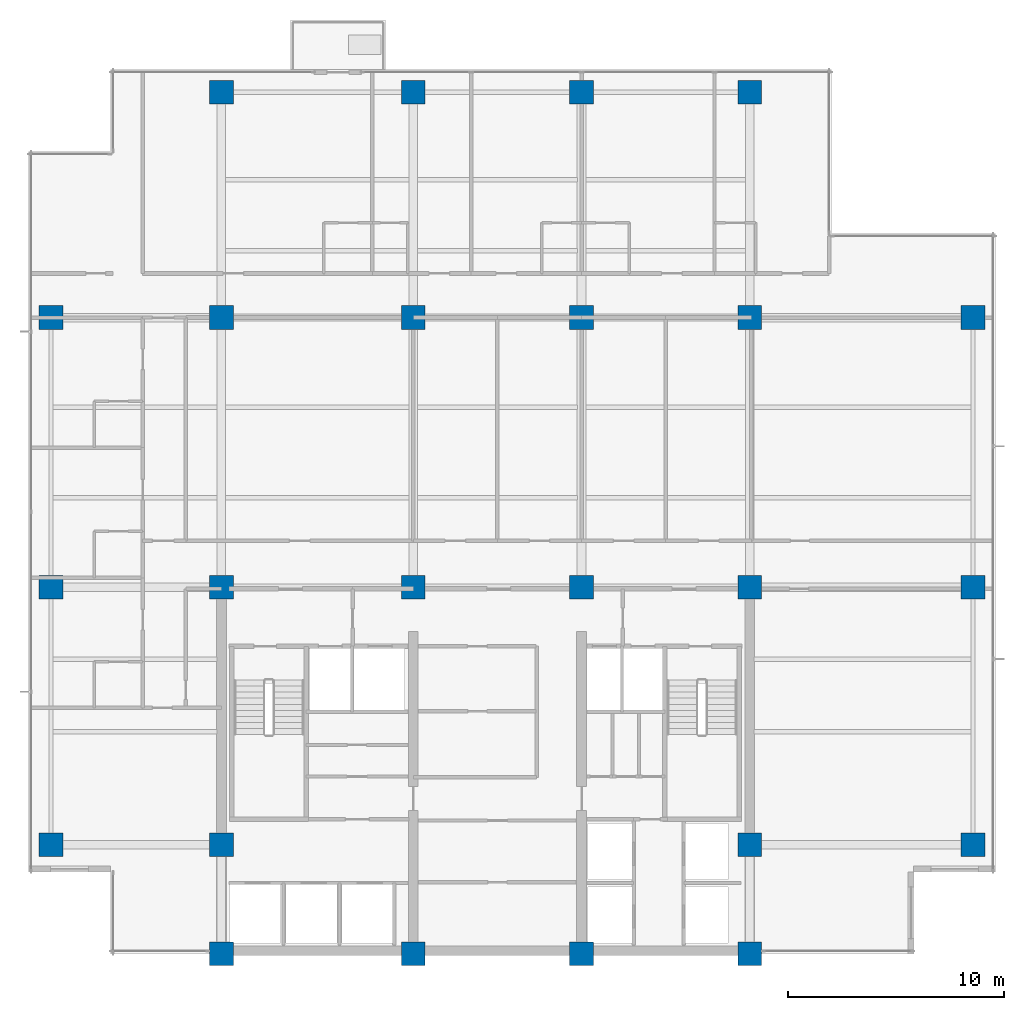
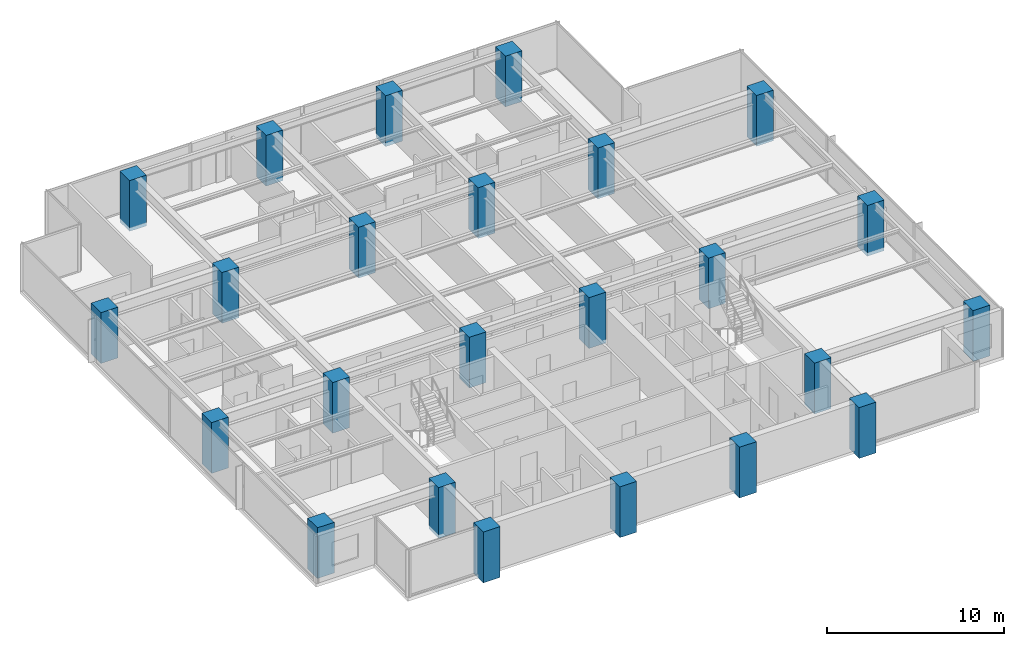
# One storey, part 1 of 14: 24 columns.
"""IFC4 building model written with IfcOpenShell, lengths in metres."""

import ifcopenshell
import ifcopenshell.guid

model = None  # the IFC model being written
_history = None  # IfcOwnerHistory: only IFC2X3 demands one
_inside = {}  # id of a spatial element -> (the spatial element, [elements in it])
_under = {}  # id of a project, library or spatial element -> (it, [spatial elements below it])
_declared = {}  # id of a project -> (the project, [libraries it declares])
_typed = {}  # id of a type object -> (the type object, [elements of that type])
_made_of = {}  # id of a material, layer set ... -> (it, [elements and type objects made of it])


def new_model(schema):
    """Start an empty IFC model of exactly this schema.

    Asked for "IFC4X3", IfcOpenShell would pick the latest addendum, in which some entities
    have other attributes; the version numbers below select the first issue.
    IFC2X3 requires an IfcOwnerHistory on every rooted entity: one is made here for all.
    """
    global model, _history
    if schema == "IFC4X3":
        model = ifcopenshell.file(schema_version=(4, 3, 0, 0))
    else:
        model = ifcopenshell.file(schema=schema)
    _inside.clear()
    _under.clear()
    _declared.clear()
    _typed.clear()
    _made_of.clear()
    _history = None
    if model.schema == "IFC2X3":
        org = make("IfcOrganization", Name="unknown")
        user = make(
            "IfcPersonAndOrganization",
            ThePerson=make("IfcPerson", FamilyName="unknown"),
            TheOrganization=org,
        )
        app = make(
            "IfcApplication",
            ApplicationDeveloper=org,
            Version="unknown",
            ApplicationFullName="unknown",
            ApplicationIdentifier="unknown",
        )
        _history = make(
            "IfcOwnerHistory",
            OwningUser=user,
            OwningApplication=app,
            ChangeAction="ADDED",
            CreationDate=0,
        )
    return model


def make(cls, **values):
    """One entity of the class cls with the attributes given. An attribute that is None is left unset."""
    return model.create_entity(
        cls, **{name: value for name, value in values.items() if value is not None}
    )


def rooted(cls, **values):
    """An entity with a GlobalId (a new one), such as an element, a storey or a relation."""
    return make(cls, GlobalId=ifcopenshell.guid.new(), OwnerHistory=_history, **values)


def si_unit(unit_type, name, prefix=None):
    """IfcSIUnit, for example si_unit("LENGTHUNIT", "METRE", prefix="MILLI")."""
    return make("IfcSIUnit", UnitType=unit_type, Prefix=prefix, Name=name)


def assignment(units):
    """IfcUnitAssignment: the units of a project."""
    return None if units is None else make("IfcUnitAssignment", Units=units)


def point(xyz):
    """IfcCartesianPoint."""
    return None if xyz is None else make("IfcCartesianPoint", Coordinates=xyz)


def direction(xyz):
    """IfcDirection."""
    return None if xyz is None else make("IfcDirection", DirectionRatios=xyz)


def frame(location, z_axis=None, x_axis=None):
    """IfcAxis2Placement3D, a coordinate frame: its origin and axes. An axis left out is left unset."""
    return make(
        "IfcAxis2Placement3D",
        Location=point(location),
        Axis=direction(z_axis),
        RefDirection=direction(x_axis),
    )


def frame_2d(location, x_axis=None):
    """IfcAxis2Placement2D, a coordinate frame in the plane: its origin and x axis."""
    return make(
        "IfcAxis2Placement2D", Location=point(location), RefDirection=direction(x_axis)
    )


def origin():
    """The frame at (0, 0, 0) with its axes left unset."""
    return frame((0.0, 0.0, 0.0))


def origin_2d():
    """The frame at (0, 0) in the plane with its x axis left unset."""
    return frame_2d((0.0, 0.0))


def place(relative_to, where):
    """IfcLocalPlacement: puts the frame where relative to a parent placement (None: the world)."""
    return make(
        "IfcLocalPlacement", PlacementRelTo=relative_to, RelativePlacement=where
    )


def context(
    kind, dimensions, precision=None, world=None, true_north=None, identifier=None
):
    """IfcGeometricRepresentationContext, for example the 3D "Model" context."""
    return make(
        "IfcGeometricRepresentationContext",
        ContextIdentifier=identifier,
        ContextType=kind,
        CoordinateSpaceDimension=dimensions,
        Precision=precision,
        WorldCoordinateSystem=world,
        TrueNorth=true_north,
    )


def subcontext(parent, identifier, kind, view, scale=None):
    """IfcGeometricRepresentationSubContext, for example "Body" below "Model"."""
    return make(
        "IfcGeometricRepresentationSubContext",
        ContextIdentifier=identifier,
        ContextType=kind,
        ParentContext=parent,
        TargetScale=scale,
        TargetView=view,
    )


def project(units=None, contexts=None):
    """IfcProject with its units and contexts."""
    return rooted(
        "IfcProject",
        Name="project",
        RepresentationContexts=contexts,
        UnitsInContext=assignment(units),
    )


def spatial(cls, under=None, at=None, **own):
    """A site, building, storey or space (cls), placed at a placement, below another one or the project."""
    s = rooted(cls, ObjectPlacement=at, **own)
    if under is not None:
        _under.setdefault(under.id(), (under, []))[1].append(s)
    return s


def profile(cls, at=None, kind="AREA", **sizes):
    """A parametric profile (cls). Its sizes go by their IFC names, for example OverallWidth=200.0."""
    return make(cls, ProfileType=kind, Position=at, **sizes)


def rectangle(**sizes):
    """IfcRectangleProfileDef."""
    return profile("IfcRectangleProfileDef", **sizes)


def extrude(swept, where, along, depth):
    """IfcExtrudedAreaSolid: the profile swept, set in the frame where, extruded along a direction by depth."""
    return make(
        "IfcExtrudedAreaSolid",
        SweptArea=swept,
        Position=where,
        ExtrudedDirection=direction(along),
        Depth=depth,
    )


def shape(context_of_items, identifier, shape_type, items):
    """IfcShapeRepresentation: the items that make up one representation, for example the "Body"."""
    return make(
        "IfcShapeRepresentation",
        ContextOfItems=context_of_items,
        RepresentationIdentifier=identifier,
        RepresentationType=shape_type,
        Items=items,
    )


def material(Name=None, Category=None):
    """IfcMaterial."""
    return make("IfcMaterial", Name=Name, Category=Category)


def material_profile(
    of_material, cross_section, Name=None, Category=None, Priority=None
):
    """IfcMaterialProfile: a cross section and its material."""
    return make(
        "IfcMaterialProfile",
        Name=Name,
        Material=of_material,
        Profile=cross_section,
        Priority=Priority,
        Category=Category,
    )


def profile_set(profiles, Name=None, composite=None):
    """IfcMaterialProfileSet."""
    return make(
        "IfcMaterialProfileSet",
        Name=Name,
        MaterialProfiles=profiles,
        CompositeProfile=composite,
    )


def made_of(thing, what):
    """Note that an element or type object is made of a material, layer set ...; save() writes the relation."""
    if what is not None:
        _made_of.setdefault(what.id(), (what, []))[1].append(thing)
    return thing


def type_object(cls, material=None, **own):
    """A type object (cls), such as IfcWallType, which elements share."""
    return made_of(rooted(cls, **own), material)


def element(
    cls,
    number,
    at=None,
    inside=None,
    cuts=None,
    type_object=None,
    material=None,
    context=None,
    identifier="Body",
    shape_type=None,
    held_by="IfcProductDefinitionShape",
    body=None,
    shapes=None,
    **own,
):
    """One element of the class cls, such as IfcWall. Its Tag is "e" and its number.

    at: its placement. inside: the storey or other place that contains it. cuts: it is an
    opening in that element (IfcRelVoidsElement). A single representation is given by context,
    identifier, shape_type and body (its items); several are given by shapes. held_by: the class
    of the entity that holds the representations. save() writes the other relations.
    """
    e = rooted(cls, Tag="e%d" % number, ObjectPlacement=at, **own)
    if body is not None:
        shapes = [shape(context, identifier, shape_type, body)]
    if shapes is not None:
        e.Representation = make(held_by, Representations=shapes)
    if inside is not None:
        _inside.setdefault(inside.id(), (inside, []))[1].append(e)
    if cuts is not None:
        rooted(
            "IfcRelVoidsElement", RelatingBuildingElement=cuts, RelatedOpeningElement=e
        )
    if type_object is not None:
        _typed.setdefault(type_object.id(), (type_object, []))[1].append(e)
    return made_of(e, material)


def aggregate(whole, parts):
    """IfcRelAggregates: a whole, such as a stair, and the parts it consists of."""
    return rooted("IfcRelAggregates", RelatingObject=whole, RelatedObjects=parts)


def save(model, path):
    """Write the relations noted so far, then the file.

    IfcRelAggregates (storeys below a building ...), IfcRelContainedInSpatialStructure (elements
    in a storey), IfcRelDefinesByType, IfcRelAssociatesMaterial and IfcRelDeclares: one each for
    every whole, place, type object, material and project.
    """
    for whole, parts in _under.values():
        aggregate(whole, parts)
    for where, things in _inside.values():
        rooted(
            "IfcRelContainedInSpatialStructure",
            RelatedElements=things,
            RelatingStructure=where,
        )
    for kind, things in _typed.values():
        rooted("IfcRelDefinesByType", RelatedObjects=things, RelatingType=kind)
    for what, things in _made_of.values():
        rooted("IfcRelAssociatesMaterial", RelatedObjects=things, RelatingMaterial=what)
    for by, libraries in _declared.values():
        rooted("IfcRelDeclares", RelatingContext=by, RelatedDefinitions=libraries)
    model.write(path)


model = new_model("IFC4")

# Units and contexts
model_context = context("Model", 3, precision=1e-05, world=origin(), true_north=direction((0.0, 1.0)))
body_context = subcontext(model_context, "Body", "Model", "MODEL_VIEW")
ifc_project = project(units=[si_unit("LENGTHUNIT", "METRE"), si_unit("AREAUNIT", "SQUARE_METRE"), si_unit("VOLUMEUNIT", "CUBIC_METRE"), si_unit("PLANEANGLEUNIT", "RADIAN"), si_unit("MASSUNIT", "GRAM", prefix="KILO")], contexts=[model_context])

# Site, building, storey
site_placement = place(None, origin())
site = spatial("IfcSite", under=ifc_project, at=site_placement, CompositionType="ELEMENT")
building_placement = place(site_placement, origin())
building = spatial("IfcBuilding", under=site, at=building_placement, Name="Qalmaran Belvedere Hotel", CompositionType="ELEMENT")
storey_placement = place(building_placement, frame((0.0, 0.0, 152.60009765625)))
storey = spatial("IfcBuildingStorey", under=building, at=storey_placement, Name="L38", CompositionType="ELEMENT", Elevation=152.60009765625)

# Columns
ifc_material = material(Name="Concrete C50/60", Category="concrete")
ifc_material_profile = material_profile(ifc_material, rectangle(XDim=1.10009765625, YDim=1.10009765625, at=origin_2d()), Name="CC1100X1100")
ifc_profile_set = profile_set([ifc_material_profile], Name="Concrete C50/60")
column_type = type_object("IfcColumnType", Name="COL-Z3-CC1100", PredefinedType="COLUMN", material=ifc_profile_set)
for number, where, z_axis, x_axis, name in (
    (1, (20.300048828125, 3.5, -0.25), (0.0, 0.0, 1.0), (1.0, 0.0, 0.0), "L38 Column C4B"),
    (2, (29.199951171875, 3.5, -0.25), (0.0, 0.0, 1.0), (1.0, 0.0, 0.0), "L38 Column C5B"),
    (3, (37.0, 3.5, -0.25), (0.0, 0.0, 1.0), (1.0, 0.0, 0.0), "L38 Column C6B"),
    (4, (44.800048828125, 3.5, -0.25), (0.0, 0.0, 1.0), (1.0, 0.0, 0.0), "L38 Column C7B"),
    (5, (20.300048828125, 8.550048828125, -0.25), (0.0, 0.0, 1.0), (1.0, 0.0, 0.0), "L38 Column C4C"),
    (6, (44.800048828125, 8.550048828125, -0.25), (0.0, 0.0, 1.0), (1.0, 0.0, 0.0), "L38 Column C7C"),
    (7, (20.300048828125, 20.5, -0.25), (0.0, 0.0, 1.0), (1.0, 0.0, 0.0), "L38 Column C4D"),
    (8, (29.199951171875, 20.5, -0.25), (0.0, 0.0, 1.0), (1.0, 0.0, 0.0), "L38 Column C5D"),
    (9, (37.0, 20.5, -0.25), (0.0, 0.0, 1.0), (1.0, 0.0, 0.0), "L38 Column C6D"),
    (10, (44.800048828125, 20.5, -0.25), (0.0, 0.0, 1.0), (1.0, 0.0, 0.0), "L38 Column C7D"),
    (11, (20.300048828125, 33.0, -0.25), (0.0, 0.0, 1.0), (1.0, 0.0, 0.0), "L38 Column C4F"),
    (12, (29.199951171875, 33.0, -0.25), (0.0, 0.0, 1.0), (1.0, 0.0, 0.0), "L38 Column C5F"),
    (13, (37.0, 33.0, -0.25), (0.0, 0.0, 1.0), (1.0, 0.0, 0.0), "L38 Column C6F"),
    (14, (44.800048828125, 33.0, -0.25), (0.0, 0.0, 1.0), (1.0, 0.0, 0.0), "L38 Column C7F"),
    (15, (12.39990234375, 8.550048828125, -0.25), (0.0, 0.0, 1.0), (1.0, 0.0, 0.0), "L38 Column CW1"),
    (16, (12.39990234375, 20.5, -0.25), (0.0, 0.0, 1.0), (1.0, 0.0, 0.0), "L38 Column CW3"),
    (17, (12.39990234375, 33.0, -0.25), (0.0, 0.0, 1.0), (1.0, 0.0, 0.0), "L38 Column CW4"),
    (18, (55.14990234375, 8.550048828125, -0.25), (0.0, 0.0, 1.0), (1.0, 0.0, 0.0), "L38 Column CE1"),
    (19, (55.14990234375, 20.5, -0.25), (0.0, 0.0, 1.0), (1.0, 0.0, 0.0), "L38 Column CE3"),
    (20, (55.14990234375, 33.0, -0.25), (0.0, 0.0, 1.0), (1.0, 0.0, 0.0), "L38 Column CE4"),
    (21, (20.300048828125, 43.449951171875, -0.25), (0.0, 0.0, 1.0), (1.0, 0.0, 0.0), "L38 Column CN1"),
    (22, (29.199951171875, 43.449951171875, -0.25), (0.0, 0.0, 1.0), (1.0, 0.0, 0.0), "L38 Column CN2"),
    (23, (37.0, 43.449951171875, -0.25), (0.0, 0.0, 1.0), (1.0, 0.0, 0.0), "L38 Column CN3"),
    (24, (44.800048828125, 43.449951171875, -0.25), (0.0, 0.0, 1.0), (1.0, 0.0, 0.0), "L38 Column CN4"),
):
    element("IfcColumn", number, at=place(storey_placement, frame(where, z_axis=z_axis, x_axis=x_axis)), inside=storey, type_object=column_type, Name=name, PredefinedType="COLUMN", context=body_context, shape_type="SweptSolid", body=[
        extrude(rectangle(XDim=1.10009765625, YDim=1.10009765625, at=origin_2d()), origin(), (0.0, 0.0, 1.0), 3.5),
    ])

save(model, "model.ifc")
